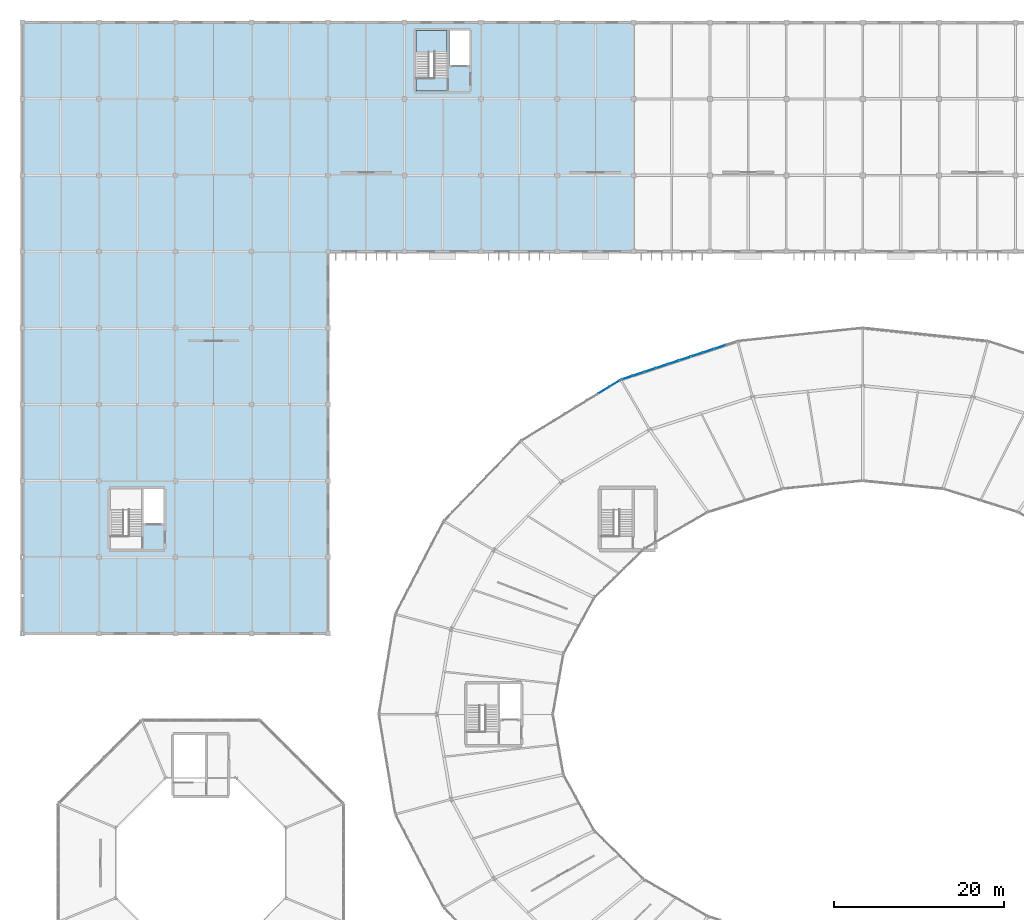
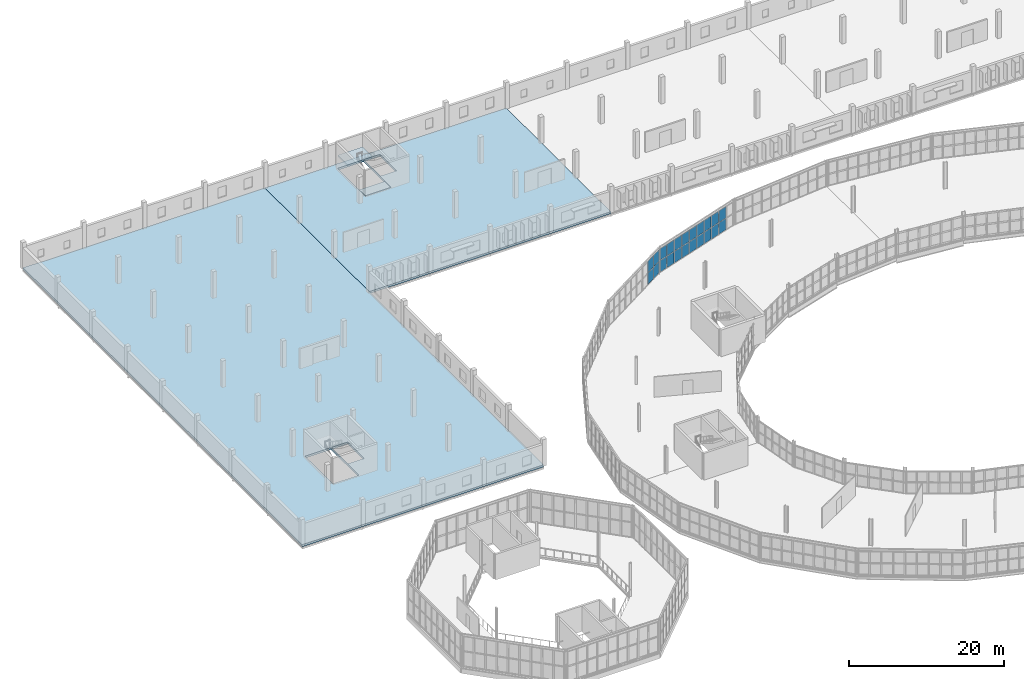
# One storey, part 127 of 161: 22 plates, 4 slabs, 3 elements without a shape of their own.
"""IFC4 building model written with IfcOpenShell, lengths in metres."""

from ifc_helpers import new_model, si_unit, direction, frame, origin, origin_2d, place, context, subcontext, project, spatial, polyline, rectangle, outline, extrude, material, layer, layer_set, type_object, element, aggregate, save


model = new_model("IFC4")

# Units and contexts
model_context = context("Model", 3, precision=1e-05, world=origin(), true_north=direction((0.0, 1.0)))
body_context = subcontext(model_context, "Body", "Model", "MODEL_VIEW")
ifc_project = project(units=[si_unit("LENGTHUNIT", "METRE"), si_unit("AREAUNIT", "SQUARE_METRE"), si_unit("VOLUMEUNIT", "CUBIC_METRE"), si_unit("PLANEANGLEUNIT", "RADIAN"), si_unit("MASSUNIT", "GRAM", prefix="KILO")], contexts=[model_context])

# Site, building, storey
site_placement = place(None, origin())
site = spatial("IfcSite", under=ifc_project, at=site_placement, CompositionType="ELEMENT")
building_placement = place(site_placement, origin())
building = spatial("IfcBuilding", under=site, at=building_placement, Name="Kildeholm Park Wholesale Market", CompositionType="ELEMENT")
storey_placement = place(building_placement, frame((0.0, 0.0, 5.39990234375)))
storey = spatial("IfcBuildingStorey", under=building, at=storey_placement, Name="L01", CompositionType="ELEMENT", Elevation=5.39990234375)

# Curtain wall, plates
ifc_material_1 = material(Name="Anodised aluminium and low-E double-glazed glass", Category="aluminium")
curtain_wall_type = type_object("IfcCurtainWallType", Name="Market hall glazed arcade stick curtain wall CW-01", PredefinedType="NOTDEFINED", material=ifc_material_1)
curtain_wall_1_placement = place(storey_placement, origin())
curtain_wall_1 = element("IfcCurtainWall", 1, at=curtain_wall_1_placement, inside=storey, type_object=curtain_wall_type, Name="Curtain wall CW-V1-OT-07-1 CW-0035", PredefinedType="NOTDEFINED")
ifc_material_2 = material(Name="Double-glazed low-E insulated glass", Category="glass")
ifc_layer_1 = layer(ifc_material_2, 0.028076171875)
ifc_layer_set_1 = layer_set([ifc_layer_1], Name="Double-glazed low-E insulated glass")
plate_type = type_object("IfcPlateType", Name="Curtain-wall panel CWP-1 28 mm", PredefinedType="CURTAIN_PANEL", material=ifc_layer_set_1)
plate_1_placement = place(storey_placement, frame((82.15625, 132.762939453125, 0.06494140625), z_axis=(0.0, 0.0, 1.0), x_axis=(-0.949451374478, -0.313914140335, 0.0)))
plate_1 = element("IfcPlate", 2, at=plate_1_placement, type_object=plate_type, Name="CW-01 panel 2.1 PLT-0634", PredefinedType="CURTAIN_PANEL", context=body_context, shape_type="SweptSolid", body=[
    extrude(rectangle(XDim=1.375, YDim=0.028076171875, at=origin_2d()), origin(), (0.0, 0.0, 1.0), 1.802490234375),
])
plate_2_placement = place(storey_placement, frame((82.15625, 132.762939453125, 1.9326171875), z_axis=(0.0, 0.0, 1.0), x_axis=(-0.949451374478, -0.313914140335, 0.0)))
plate_2 = element("IfcPlate", 3, at=plate_2_placement, type_object=plate_type, Name="CW-01 panel 2.2 PLT-0635", PredefinedType="CURTAIN_PANEL", context=body_context, shape_type="SweptSolid", body=[
    extrude(rectangle(XDim=1.375, YDim=0.028076171875, at=origin_2d()), origin(), (0.0, 0.0, 1.0), 1.802490234375),
])
plate_3_placement = place(storey_placement, frame((80.789306640625, 132.31103515625, 0.06494140625), z_axis=(0.0, 0.0, 1.0), x_axis=(-0.949451374478, -0.313914140335, 0.0)))
plate_3 = element("IfcPlate", 4, at=plate_3_placement, type_object=plate_type, Name="CW-01 panel 3.1 PLT-0636", PredefinedType="CURTAIN_PANEL", context=body_context, shape_type="SweptSolid", body=[
    extrude(rectangle(XDim=1.375, YDim=0.028076171875, at=origin_2d()), origin(), (0.0, 0.0, 1.0), 1.802490234375),
])
plate_4_placement = place(storey_placement, frame((80.789306640625, 132.31103515625, 1.9326171875), z_axis=(0.0, 0.0, 1.0), x_axis=(-0.949451374478, -0.313914140335, 0.0)))
plate_4 = element("IfcPlate", 5, at=plate_4_placement, type_object=plate_type, Name="CW-01 panel 3.2 PLT-0637", PredefinedType="CURTAIN_PANEL", context=body_context, shape_type="SweptSolid", body=[
    extrude(rectangle(XDim=1.375, YDim=0.028076171875, at=origin_2d()), origin(), (0.0, 0.0, 1.0), 1.802490234375),
])
plate_5_placement = place(storey_placement, frame((79.422119140625, 131.85888671875, 0.06494140625), z_axis=(0.0, 0.0, 1.0), x_axis=(-0.949451374478, -0.313914140335, 0.0)))
plate_5 = element("IfcPlate", 6, at=plate_5_placement, type_object=plate_type, Name="CW-01 panel 4.1 PLT-0638", PredefinedType="CURTAIN_PANEL", context=body_context, shape_type="SweptSolid", body=[
    extrude(rectangle(XDim=1.375, YDim=0.028076171875, at=origin_2d()), origin(), (0.0, 0.0, 1.0), 1.802490234375),
])
plate_6_placement = place(storey_placement, frame((79.422119140625, 131.85888671875, 1.9326171875), z_axis=(0.0, 0.0, 1.0), x_axis=(-0.949451374478, -0.313914140335, 0.0)))
plate_6 = element("IfcPlate", 7, at=plate_6_placement, type_object=plate_type, Name="CW-01 panel 4.2 PLT-0639", PredefinedType="CURTAIN_PANEL", context=body_context, shape_type="SweptSolid", body=[
    extrude(rectangle(XDim=1.375, YDim=0.028076171875, at=origin_2d()), origin(), (0.0, 0.0, 1.0), 1.802490234375),
])
plate_7_placement = place(storey_placement, frame((78.054931640625, 131.406982421875, 0.06494140625), z_axis=(0.0, 0.0, 1.0), x_axis=(-0.949451374478, -0.313914140335, 0.0)))
plate_7 = element("IfcPlate", 8, at=plate_7_placement, type_object=plate_type, Name="CW-01 panel 5.1 PLT-0640", PredefinedType="CURTAIN_PANEL", context=body_context, shape_type="SweptSolid", body=[
    extrude(rectangle(XDim=1.375, YDim=0.028076171875, at=origin_2d()), origin(), (0.0, 0.0, 1.0), 1.802490234375),
])
plate_8_placement = place(storey_placement, frame((78.054931640625, 131.406982421875, 1.9326171875), z_axis=(0.0, 0.0, 1.0), x_axis=(-0.949451374478, -0.313914140335, 0.0)))
plate_8 = element("IfcPlate", 9, at=plate_8_placement, type_object=plate_type, Name="CW-01 panel 5.2 PLT-0641", PredefinedType="CURTAIN_PANEL", context=body_context, shape_type="SweptSolid", body=[
    extrude(rectangle(XDim=1.375, YDim=0.028076171875, at=origin_2d()), origin(), (0.0, 0.0, 1.0), 1.802490234375),
])
plate_9_placement = place(storey_placement, frame((76.68798828125, 130.955078125, 0.06494140625), z_axis=(0.0, 0.0, 1.0), x_axis=(-0.949451374478, -0.313914140335, 0.0)))
plate_9 = element("IfcPlate", 10, at=plate_9_placement, type_object=plate_type, Name="CW-01 panel 6.1 PLT-0642", PredefinedType="CURTAIN_PANEL", context=body_context, shape_type="SweptSolid", body=[
    extrude(rectangle(XDim=1.375, YDim=0.028076171875, at=origin_2d()), origin(), (0.0, 0.0, 1.0), 1.802490234375),
])
plate_10_placement = place(storey_placement, frame((76.68798828125, 130.955078125, 1.9326171875), z_axis=(0.0, 0.0, 1.0), x_axis=(-0.949451374478, -0.313914140335, 0.0)))
plate_10 = element("IfcPlate", 11, at=plate_10_placement, type_object=plate_type, Name="CW-01 panel 6.2 PLT-0643", PredefinedType="CURTAIN_PANEL", context=body_context, shape_type="SweptSolid", body=[
    extrude(rectangle(XDim=1.375, YDim=0.028076171875, at=origin_2d()), origin(), (0.0, 0.0, 1.0), 1.802490234375),
])
plate_11_placement = place(storey_placement, frame((75.32080078125, 130.5029296875, 0.06494140625), z_axis=(0.0, 0.0, 1.0), x_axis=(-0.949451374478, -0.313914140335, 0.0)))
plate_11 = element("IfcPlate", 12, at=plate_11_placement, type_object=plate_type, Name="CW-01 panel 7.1 PLT-0644", PredefinedType="CURTAIN_PANEL", context=body_context, shape_type="SweptSolid", body=[
    extrude(rectangle(XDim=1.375, YDim=0.028076171875, at=origin_2d()), origin(), (0.0, 0.0, 1.0), 1.802490234375),
])
plate_12_placement = place(storey_placement, frame((75.32080078125, 130.5029296875, 1.9326171875), z_axis=(0.0, 0.0, 1.0), x_axis=(-0.949451374478, -0.313914140335, 0.0)))
plate_12 = element("IfcPlate", 13, at=plate_12_placement, type_object=plate_type, Name="CW-01 panel 7.2 PLT-0645", PredefinedType="CURTAIN_PANEL", context=body_context, shape_type="SweptSolid", body=[
    extrude(rectangle(XDim=1.375, YDim=0.028076171875, at=origin_2d()), origin(), (0.0, 0.0, 1.0), 1.802490234375),
])
plate_13_placement = place(storey_placement, frame((73.953857421875, 130.051025390625, 0.06494140625), z_axis=(0.0, 0.0, 1.0), x_axis=(-0.949451374478, -0.313914140335, 0.0)))
plate_13 = element("IfcPlate", 14, at=plate_13_placement, type_object=plate_type, Name="CW-01 panel 8.1 PLT-0646", PredefinedType="CURTAIN_PANEL", context=body_context, shape_type="SweptSolid", body=[
    extrude(rectangle(XDim=1.375, YDim=0.028076171875, at=origin_2d()), origin(), (0.0, 0.0, 1.0), 1.802490234375),
])
plate_14_placement = place(storey_placement, frame((73.953857421875, 130.051025390625, 1.9326171875), z_axis=(0.0, 0.0, 1.0), x_axis=(-0.949451374478, -0.313914140335, 0.0)))
plate_14 = element("IfcPlate", 15, at=plate_14_placement, type_object=plate_type, Name="CW-01 panel 8.2 PLT-0647", PredefinedType="CURTAIN_PANEL", context=body_context, shape_type="SweptSolid", body=[
    extrude(rectangle(XDim=1.375, YDim=0.028076171875, at=origin_2d()), origin(), (0.0, 0.0, 1.0), 1.802490234375),
])
plate_15_placement = place(storey_placement, frame((72.586669921875, 129.59912109375, 0.06494140625), z_axis=(0.0, 0.0, 1.0), x_axis=(-0.949451374478, -0.313914140335, 0.0)))
plate_15 = element("IfcPlate", 16, at=plate_15_placement, type_object=plate_type, Name="CW-01 panel 9.1 PLT-0648", PredefinedType="CURTAIN_PANEL", context=body_context, shape_type="SweptSolid", body=[
    extrude(rectangle(XDim=1.375, YDim=0.028076171875, at=origin_2d()), origin(), (0.0, 0.0, 1.0), 1.802490234375),
])
plate_16_placement = place(storey_placement, frame((72.586669921875, 129.59912109375, 1.9326171875), z_axis=(0.0, 0.0, 1.0), x_axis=(-0.949451374478, -0.313914140335, 0.0)))
plate_16 = element("IfcPlate", 17, at=plate_16_placement, type_object=plate_type, Name="CW-01 panel 9.2 PLT-0649", PredefinedType="CURTAIN_PANEL", context=body_context, shape_type="SweptSolid", body=[
    extrude(rectangle(XDim=1.375, YDim=0.028076171875, at=origin_2d()), origin(), (0.0, 0.0, 1.0), 1.802490234375),
])
plate_17_placement = place(storey_placement, frame((71.23486328125, 129.152099609375, 0.06494140625), z_axis=(0.0, 0.0, 1.0), x_axis=(-0.949451374478, -0.313914140335, 0.0)))
plate_17 = element("IfcPlate", 18, at=plate_17_placement, type_object=plate_type, Name="CW-01 panel 10.1 PLT-0650", PredefinedType="CURTAIN_PANEL", context=body_context, shape_type="SweptSolid", body=[
    extrude(rectangle(XDim=1.34228515625, YDim=0.028076171875, at=origin_2d()), origin(), (0.0, 0.0, 1.0), 1.802490234375),
])
plate_18_placement = place(storey_placement, frame((71.23486328125, 129.152099609375, 1.9326171875), z_axis=(0.0, 0.0, 1.0), x_axis=(-0.949451374478, -0.313914140335, 0.0)))
plate_18 = element("IfcPlate", 19, at=plate_18_placement, type_object=plate_type, Name="CW-01 panel 10.2 PLT-0651", PredefinedType="CURTAIN_PANEL", context=body_context, shape_type="SweptSolid", body=[
    extrude(rectangle(XDim=1.34228515625, YDim=0.028076171875, at=origin_2d()), origin(), (0.0, 0.0, 1.0), 1.802490234375),
])
aggregate(curtain_wall_1, [plate_1, plate_2, plate_3, plate_4, plate_5, plate_6, plate_7, plate_8, plate_9, plate_10, plate_11, plate_12, plate_13, plate_14, plate_15, plate_16, plate_17, plate_18])

curtain_wall_2_placement = place(storey_placement, origin())
curtain_wall_2 = element("IfcCurtainWall", 20, at=curtain_wall_2_placement, inside=storey, type_object=curtain_wall_type, Name="Curtain wall CW-V1-OT-08-1 CW-0039", PredefinedType="NOTDEFINED")
plate_19_placement = place(storey_placement, frame((69.797119140625, 128.47900390625, 0.06494140625), z_axis=(0.0, 0.0, 1.0), x_axis=(-0.852771402766, -0.522284342695, 0.0)))
plate_19 = element("IfcPlate", 21, at=plate_19_placement, type_object=plate_type, Name="CW-01 panel 1.1 PLT-0692", PredefinedType="CURTAIN_PANEL", context=body_context, shape_type="SweptSolid", body=[
    extrude(rectangle(XDim=1.431884765625, YDim=0.028076171875, at=origin_2d()), origin(), (0.0, 0.0, 1.0), 1.802490234375),
])
plate_20_placement = place(storey_placement, frame((69.797119140625, 128.47900390625, 1.9326171875), z_axis=(0.0, 0.0, 1.0), x_axis=(-0.852771402766, -0.522284342695, 0.0)))
plate_20 = element("IfcPlate", 22, at=plate_20_placement, type_object=plate_type, Name="CW-01 panel 1.2 PLT-0693", PredefinedType="CURTAIN_PANEL", context=body_context, shape_type="SweptSolid", body=[
    extrude(rectangle(XDim=1.431884765625, YDim=0.028076171875, at=origin_2d()), origin(), (0.0, 0.0, 1.0), 1.802490234375),
])
plate_21_placement = place(storey_placement, frame((68.506591796875, 127.688720703125, 0.06494140625), z_axis=(0.0, 0.0, 1.0), x_axis=(-0.852771402766, -0.522284342695, 0.0)))
plate_21 = element("IfcPlate", 23, at=plate_21_placement, type_object=plate_type, Name="CW-01 panel 2.1 PLT-0694", PredefinedType="CURTAIN_PANEL", context=body_context, shape_type="SweptSolid", body=[
    extrude(rectangle(XDim=1.46435546875, YDim=0.028076171875, at=origin_2d()), origin(), (0.0, 0.0, 1.0), 1.802490234375),
])
plate_22_placement = place(storey_placement, frame((68.506591796875, 127.688720703125, 1.9326171875), z_axis=(0.0, 0.0, 1.0), x_axis=(-0.852771402766, -0.522284342695, 0.0)))
plate_22 = element("IfcPlate", 24, at=plate_22_placement, type_object=plate_type, Name="CW-01 panel 2.2 PLT-0695", PredefinedType="CURTAIN_PANEL", context=body_context, shape_type="SweptSolid", body=[
    extrude(rectangle(XDim=1.46435546875, YDim=0.028076171875, at=origin_2d()), origin(), (0.0, 0.0, 1.0), 1.802490234375),
])
aggregate(curtain_wall_2, [plate_19, plate_20, plate_21, plate_22])

# Slabs
ifc_material_3 = material(Name="Concrete C40/50", Category="concrete")
ifc_layer_2 = layer(ifc_material_3, 0.320068359375)
ifc_layer_set_2 = layer_set([ifc_layer_2], Name="Concrete C40/50")
slab_type_1 = type_object("IfcSlabType", Name="Slab S-FL4 320 mm", PredefinedType="FLOOR", material=ifc_layer_set_2)
slab_1_placement = place(storey_placement, frame((0.0, 0.0, -0.31982421875)))
element("IfcSlab", 25, at=slab_1_placement, inside=storey, type_object=slab_type_1, Name="V4 L01 slab N part 1 SLB-0347", PredefinedType="FLOOR", context=body_context, shape_type="SweptSolid", body=[
    extrude(outline(polyline([(36.0, 171.0), (72.0, 171.0), (72.0, 144.0), (36.0, 144.0), (36.0, 171.0)]), holes=[polyline([(50.179931640625, 162.919921875), (50.179931640625, 170.080078125), (46.320068359375, 170.080078125), (46.320068359375, 162.919921875), (50.179931640625, 162.919921875)]), polyline([(52.679931640625, 165.820068359375), (52.679931640625, 170.080078125), (50.280029296875, 170.080078125), (50.280029296875, 165.820068359375), (52.679931640625, 165.820068359375)])]), origin(), (0.0, 0.0, 1.0), 0.31982421875),
])
slab_2_placement = place(storey_placement, frame((0.0, 0.0, -0.31982421875)))
element("IfcSlab", 26, at=slab_2_placement, inside=storey, type_object=slab_type_1, Name="V4 L01 slab W part 1 SLB-0351", PredefinedType="FLOOR", context=body_context, shape_type="SweptSolid", body=[
    extrude(outline(polyline([(0.0, 171.0), (36.0, 171.0), (36.0, 99.0), (0.0, 99.0), (0.0, 171.0)]), holes=[polyline([(14.179931640625, 108.919921875), (14.179931640625, 116.080078125), (10.320068359375, 116.080078125), (10.320068359375, 108.919921875), (14.179931640625, 108.919921875)]), polyline([(16.679931640625, 111.820068359375), (16.679931640625, 116.080078125), (14.280029296875, 116.080078125), (14.280029296875, 111.820068359375), (16.679931640625, 111.820068359375)])]), origin(), (0.0, 0.0, 1.0), 0.31982421875),
])
ifc_material_4 = material(Name="Concrete C35/45", Category="concrete")
ifc_layer_3 = layer(ifc_material_4, 0.239990234375)
ifc_layer_set_3 = layer_set([ifc_layer_3], Name="Concrete C35/45")
slab_type_2 = type_object("IfcSlabType", Name="Stair landing slab S-LD1 240 mm", PredefinedType="LANDING", material=ifc_layer_set_3)
slab_3_placement = place(storey_placement, frame((0.0, 0.0, -0.239990234375)))
element("IfcSlab", 27, at=slab_3_placement, inside=storey, type_object=slab_type_2, Name="Core C02 stair landing slab L01 SLB-0410", PredefinedType="LANDING", context=body_context, shape_type="SweptSolid", body=[
    extrude(outline(polyline([(46.35009765625, 162.949951171875), (50.14990234375, 162.949951171875), (50.14990234375, 164.5), (46.35009765625, 164.5), (46.35009765625, 162.949951171875)])), origin(), (0.0, 0.0, 1.0), 0.239990234375),
])

# Stair, slab
stair_type = type_object("IfcStairType", Name="Protected upper core escape stair ST-CR2", PredefinedType="HALF_TURN_STAIR", material=ifc_material_4)
stair_placement = place(storey_placement, origin())
stair = element("IfcStair", 28, at=stair_placement, inside=storey, type_object=stair_type, Name="Escape stair C02 L01 STR-0004", PredefinedType="HALF_TURN_STAIR")
slab_4_placement = place(storey_placement, frame((0.0, 0.0, 1.860107421875)))
slab_4 = element("IfcSlab", 29, at=slab_4_placement, type_object=slab_type_2, Name="ST-02-01 landing 1 SLB-0411", PredefinedType="LANDING", context=body_context, shape_type="SweptSolid", body=[
    extrude(outline(polyline([(46.35009765625, 167.514892578125), (50.030029296875, 167.534912109375), (50.030029296875, 170.050048828125), (46.35009765625, 170.050048828125), (46.35009765625, 167.514892578125)])), origin(), (0.0, 0.0, 1.0), 0.239990234375),
])
aggregate(stair, [slab_4])

save(model, "model.ifc")
